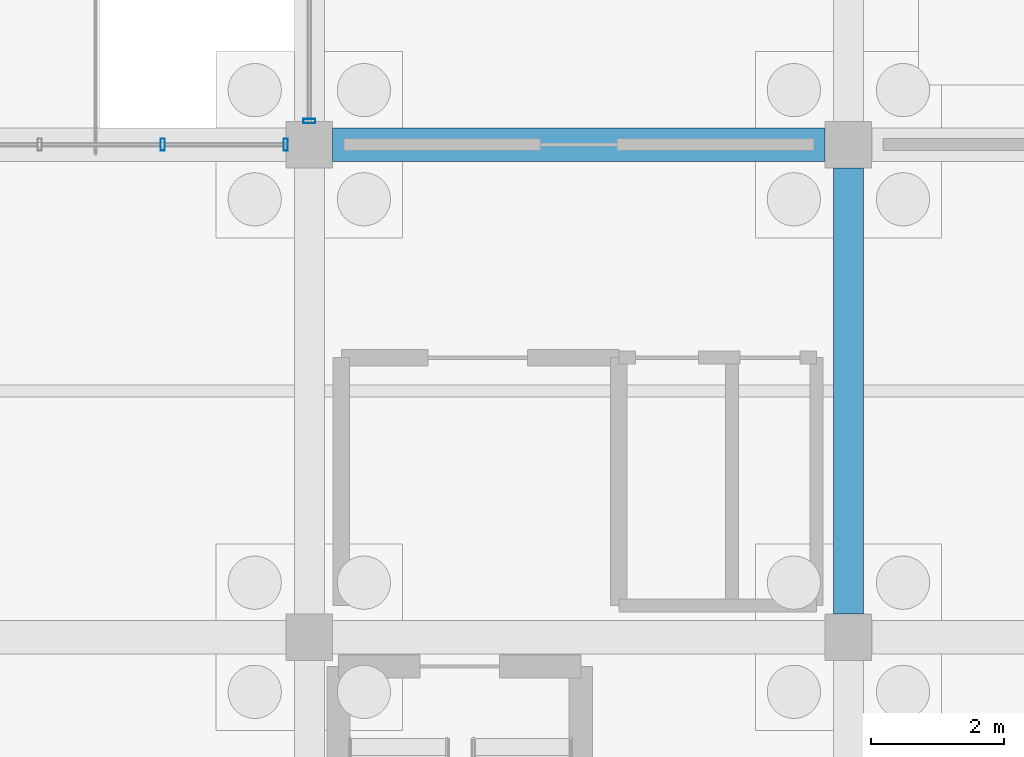
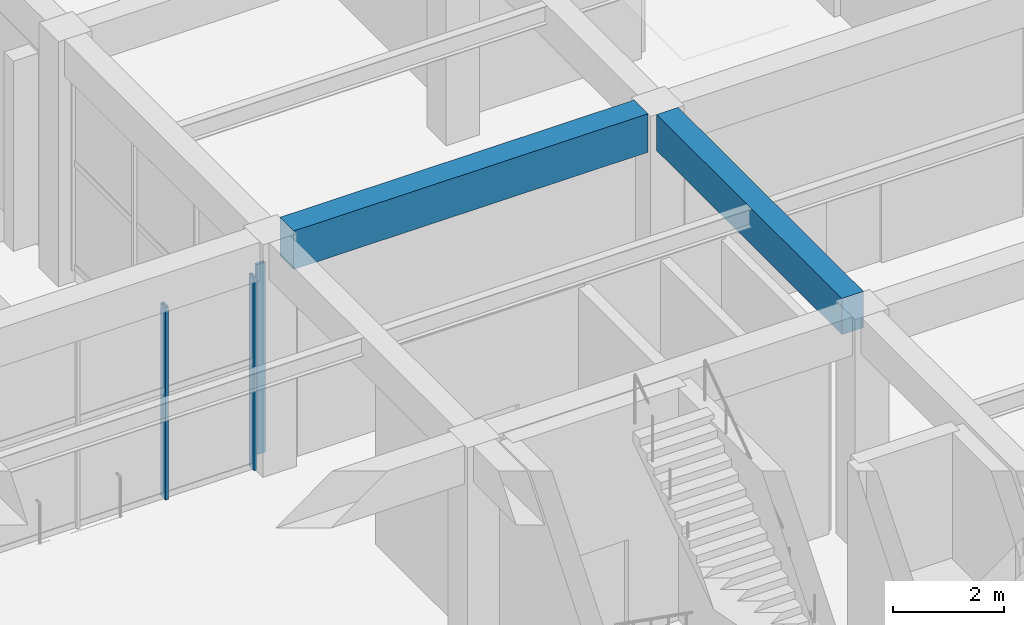
# One storey, part 94 of 140: 3 members, 2 beams, 2 elements without a shape of their own.
"""IFC4 building model written with IfcOpenShell, lengths in metres."""

from ifc_helpers import new_model, si_unit, direction, frame, origin, origin_2d, place, context, subcontext, project, spatial, rectangle, hollow_rectangle, extrude, material, material_profile, profile_set, type_object, element, aggregate, save


model = new_model("IFC4")

# Units and contexts
model_context = context("Model", 3, precision=1e-05, world=origin(), true_north=direction((0.0, 1.0)))
body_context = subcontext(model_context, "Body", "Model", "MODEL_VIEW")
ifc_project = project(units=[si_unit("LENGTHUNIT", "METRE"), si_unit("AREAUNIT", "SQUARE_METRE"), si_unit("VOLUMEUNIT", "CUBIC_METRE"), si_unit("PLANEANGLEUNIT", "RADIAN"), si_unit("MASSUNIT", "GRAM", prefix="KILO")], contexts=[model_context])

# Site, building, storey
site_placement = place(None, origin())
site = spatial("IfcSite", under=ifc_project, at=site_placement, CompositionType="ELEMENT")
building_placement = place(site_placement, origin())
building = spatial("IfcBuilding", under=site, at=building_placement, Name="Cimatlan Art Gallery", CompositionType="ELEMENT")
storey_placement = place(building_placement, origin())
storey = spatial("IfcBuildingStorey", under=building, at=storey_placement, Name="L00", CompositionType="ELEMENT", Elevation=0.0)

# Beams
ifc_material_1 = material(Name="Concrete C40/50", Category="concrete")
ifc_material_profile_1 = material_profile(ifc_material_1, rectangle(XDim=0.449951171875, YDim=0.800048828125, at=origin_2d()), Name="RC450X800")
ifc_profile_set_1 = profile_set([ifc_material_profile_1], Name="Concrete C40/50")
beam_type_1 = type_object("IfcBeamType", Name="BM-RC-450X800", PredefinedType="BEAM", material=ifc_profile_set_1)
beam_1_placement = place(storey_placement, frame((155.89990234375, 31.64990234375, 4.735107421875), z_axis=(0.0, 1.0, 0.0), x_axis=(-1.0, 0.0, 0.0)))
element("IfcBeam", 1, at=beam_1_placement, inside=storey, type_object=beam_type_1, Name="BM-Y-L00-19-04", PredefinedType="BEAM", context=body_context, shape_type="SweptSolid", body=[
    extrude(rectangle(XDim=0.449951171875, YDim=0.800048828125, at=origin_2d()), origin(), (0.0, 0.0, 1.0), 6.7001953125),
])
ifc_material_profile_2 = material_profile(ifc_material_1, rectangle(XDim=0.5, YDim=0.85009765625, at=origin_2d()), Name="RC500X850")
ifc_profile_set_2 = profile_set([ifc_material_profile_2], Name="Concrete C40/50")
beam_type_2 = type_object("IfcBeamType", Name="BM-RC-500X850", PredefinedType="BEAM", material=ifc_profile_set_2)
beam_2_placement = place(storey_placement, frame((148.14990234375, 38.699951171875, 4.7099609375), z_axis=(1.0, 0.0, 0.0), x_axis=(0.0, 1.0, 0.0)))
element("IfcBeam", 2, at=beam_2_placement, inside=storey, type_object=beam_type_2, Name="BM-X-L00-18-05", PredefinedType="BEAM", context=body_context, shape_type="SweptSolid", body=[
    extrude(rectangle(XDim=0.5, YDim=0.85009765625, at=origin_2d()), origin(), (0.0, 0.0, 1.0), 7.400146484375),
])

# Curtain wall, members
ifc_material_2 = material(Name="Anodised bronze unitised curtain wall")
curtain_wall_type_1 = type_object("IfcCurtainWallType", Name="CW-V-07392X04255-B4", PredefinedType="NOTDEFINED", material=ifc_material_2)
curtain_wall_1_placement = place(storey_placement, origin())
curtain_wall_1 = element("IfcCurtainWall", 3, at=curtain_wall_1_placement, inside=storey, type_object=curtain_wall_type_1, Name="CW-L00-17-04-N", PredefinedType="NOTDEFINED")
ifc_material_3 = material(Name="Anodised bronze aluminium 6063-T6", Category="aluminium")
ifc_material_profile_3 = material_profile(ifc_material_3, hollow_rectangle(XDim=0.06494140625, YDim=0.179931640625, WallThickness=0.00390625, at=origin_2d()), Name="ALU65X180X4")
ifc_profile_set_3 = profile_set([ifc_material_profile_3], Name="Anodised bronze aluminium 6063-T6")
member_type = type_object("IfcMemberType", Name="CW-MUL-180", PredefinedType="MULLION", material=ifc_profile_set_3)
member_1_placement = place(storey_placement, frame((145.597900390625, 38.699951171875, 0.0), z_axis=(0.0, 0.0, 1.0), x_axis=(1.0, 0.0, 0.0)))
member_1 = element("IfcMember", 4, at=member_1_placement, type_object=member_type, Name="CW-L00-17-04-N-M4", PredefinedType="MULLION", context=body_context, shape_type="SweptSolid", body=[
    extrude(hollow_rectangle(XDim=0.06494140625, YDim=0.179931640625, WallThickness=0.00390625, at=origin_2d()), origin(), (0.0, 0.0, 1.0), 4.2548828125),
])
member_2_placement = place(storey_placement, frame((147.446044921875, 38.699951171875, 0.0), z_axis=(0.0, 0.0, 1.0), x_axis=(1.0, 0.0, 0.0)))
member_2 = element("IfcMember", 5, at=member_2_placement, type_object=member_type, Name="CW-L00-17-04-N-M5", PredefinedType="MULLION", context=body_context, shape_type="SweptSolid", body=[
    extrude(hollow_rectangle(XDim=0.06494140625, YDim=0.179931640625, WallThickness=0.00390625, at=origin_2d()), origin(), (0.0, 0.0, 1.0), 4.2548828125),
])
aggregate(curtain_wall_1, [member_1, member_2])

# Curtain wall, member
curtain_wall_type_2 = type_object("IfcCurtainWallType", Name="CW-V-06692X04195-B3", PredefinedType="NOTDEFINED", material=ifc_material_2)
curtain_wall_2_placement = place(storey_placement, origin())
curtain_wall_2 = element("IfcCurtainWall", 6, at=curtain_wall_2_placement, inside=storey, type_object=curtain_wall_type_2, Name="CW-L00-18-05-W", PredefinedType="NOTDEFINED")
member_3_placement = place(storey_placement, frame((147.800048828125, 39.053955078125, 0.0), z_axis=(0.0, 0.0, 1.0), x_axis=(0.0, 1.0, 0.0)))
member_3 = element("IfcMember", 7, at=member_3_placement, type_object=member_type, Name="CW-L00-18-05-W-M1", PredefinedType="MULLION", context=body_context, shape_type="SweptSolid", body=[
    extrude(hollow_rectangle(XDim=0.06494140625, YDim=0.179931640625, WallThickness=0.00390625, at=origin_2d()), origin(), (0.0, 0.0, 1.0), 4.195068359375),
])
aggregate(curtain_wall_2, [member_3])

save(model, "model.ifc")
